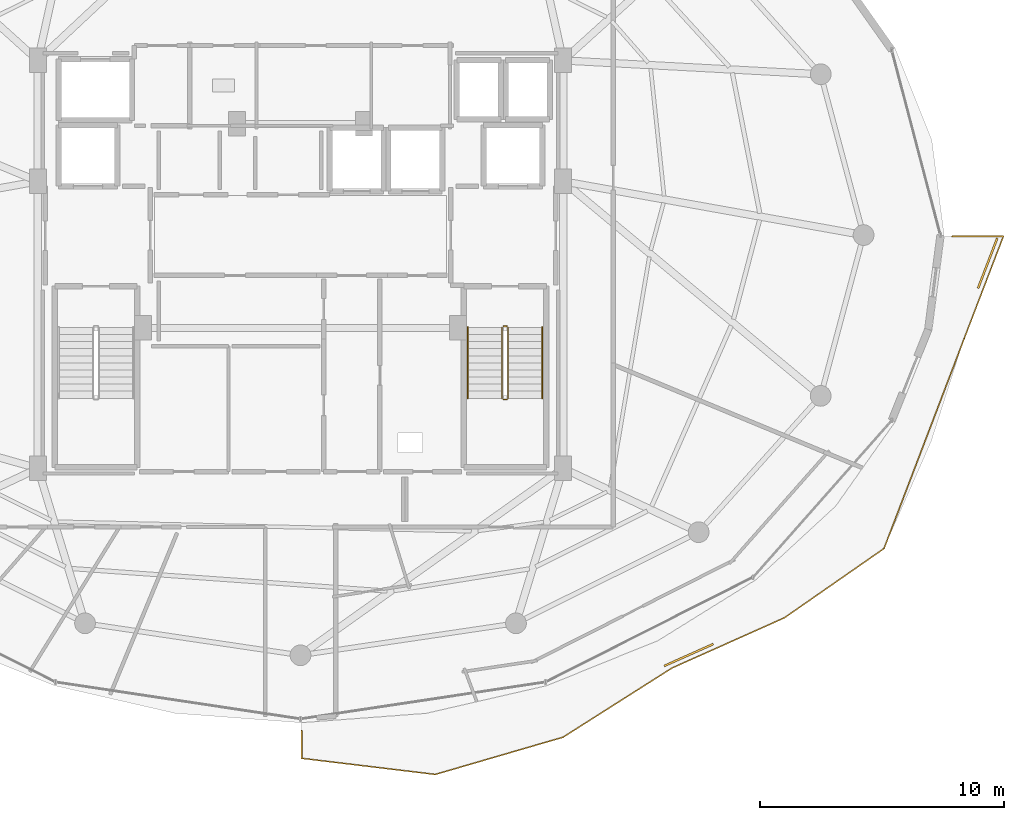
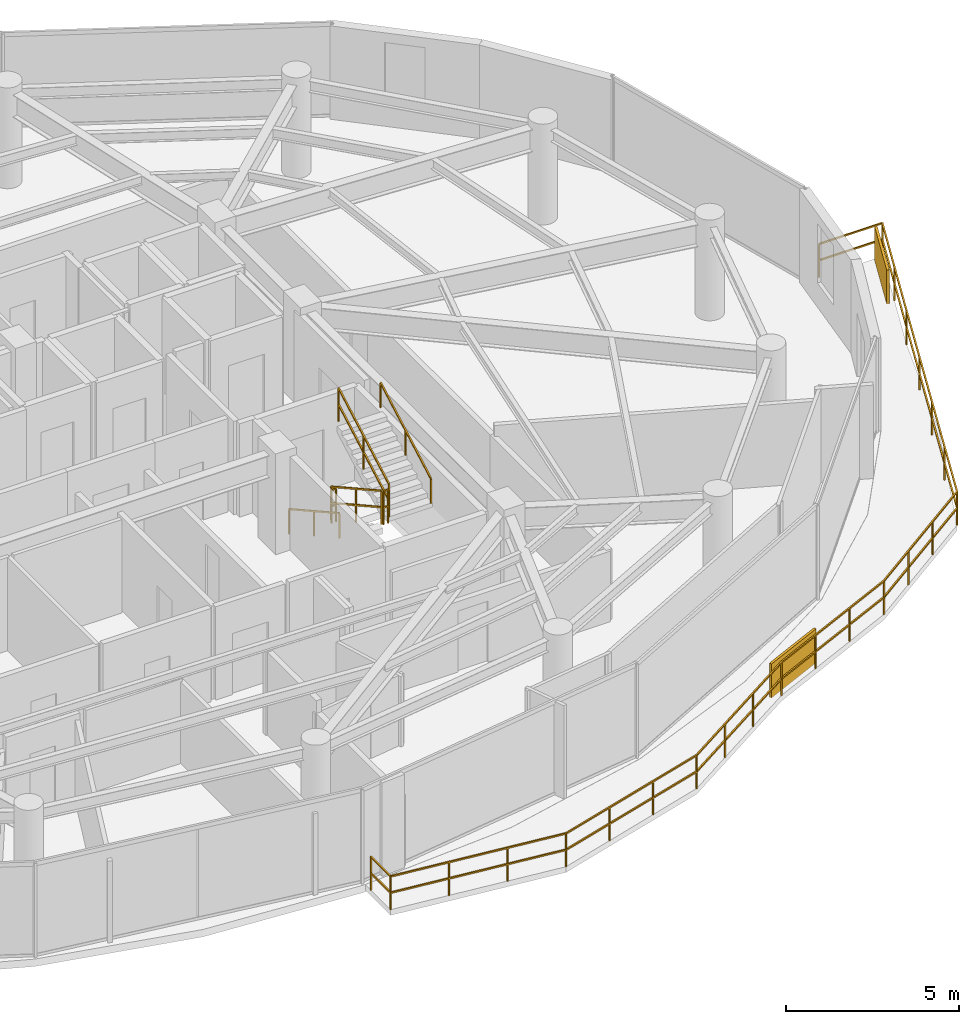
# One storey, part 28 of 30: 8 railings, 2 shading devices.
"""IFC4 building model written with IfcOpenShell, lengths in metres."""

from ifc_helpers import new_model, si_unit, direction, frame, origin, origin_2d, place, context, subcontext, project, spatial, rectangle, extrude, material, type_object, element, save


model = new_model("IFC4")

# Units and contexts
model_context = context("Model", 3, precision=1e-05, world=origin(), true_north=direction((0.0, 1.0)))
body_context = subcontext(model_context, "Body", "Model", "MODEL_VIEW")
ifc_project = project(units=[si_unit("LENGTHUNIT", "METRE"), si_unit("AREAUNIT", "SQUARE_METRE"), si_unit("VOLUMEUNIT", "CUBIC_METRE"), si_unit("PLANEANGLEUNIT", "RADIAN"), si_unit("MASSUNIT", "GRAM", prefix="KILO")], contexts=[model_context])

# Site, building, storey
site_placement = place(None, origin())
site = spatial("IfcSite", under=ifc_project, at=site_placement, CompositionType="ELEMENT")
building_placement = place(site_placement, origin())
building = spatial("IfcBuilding", under=site, at=building_placement, Name="Vorneva Point Tower", CompositionType="ELEMENT")
storey_placement = place(building_placement, frame((0.0, 0.0, 234.25)))
storey = spatial("IfcBuildingStorey", under=building, at=storey_placement, Name="L63", CompositionType="ELEMENT", Elevation=234.25)

# Railings
ifc_material_1 = material(Name="Pale anodised aluminium", Category="aluminium")
railing_type_1 = type_object("IfcRailingType", Name="RL-BAL-1200", PredefinedType="BALUSTRADE", material=ifc_material_1)
railing_1_placement = place(storey_placement, frame((65.166748046875, 21.758544921875, 0.0)))
element("IfcRailing", 1, at=railing_1_placement, inside=storey, type_object=railing_type_1, Name="L63 Wave Balcony Balustrade SE.1", PredefinedType="BALUSTRADE", context=body_context, shape_type="SweptSolid", body=[
    extrude(rectangle(XDim=0.048095703125, YDim=0.048095703125, at=origin_2d()), frame((0.0, 0.0, 1.17578125), z_axis=(0.35840691925, 0.933565466496, 0.0), x_axis=(-0.933565466496, 0.35840691925, 0.0)), (0.0, 0.0, 1.0), 4.48974609375),
    extrude(rectangle(XDim=0.048095703125, YDim=0.048095703125, at=origin_2d()), frame((0.0, 0.0, 0.60009765625), z_axis=(0.35840691925, 0.933565466496, 0.0), x_axis=(-0.933565466496, 0.35840691925, 0.0)), (0.0, 0.0, 1.0), 4.48974609375),
    extrude(rectangle(XDim=0.048095703125, YDim=0.048095703125, at=origin_2d()), frame((1.609130859375, 4.19140625, 1.17578125), z_axis=(-1.0, 0.0, 0.0), x_axis=(0.0, -1.0, 0.0)), (0.0, 0.0, 1.0), 2.109619140625),
    extrude(rectangle(XDim=0.048095703125, YDim=0.048095703125, at=origin_2d()), frame((1.609130859375, 4.19140625, 0.60009765625), z_axis=(-1.0, 0.0, 0.0), x_axis=(0.0, -1.0, 0.0)), (0.0, 0.0, 1.0), 2.109619140625),
    extrude(rectangle(XDim=0.0419921875, YDim=0.0419921875, at=origin_2d()), origin(), (0.0, 0.0, 1.0), 1.15185546875),
    extrude(rectangle(XDim=0.0419921875, YDim=0.0419921875, at=origin_2d()), frame((0.8046875, 2.095703125, 0.0)), (0.0, 0.0, 1.0), 1.15185546875),
    extrude(rectangle(XDim=0.0419921875, YDim=0.0419921875, at=origin_2d()), frame((1.609130859375, 4.19140625, 0.0)), (0.0, 0.0, 1.0), 1.15185546875),
    extrude(rectangle(XDim=0.0419921875, YDim=0.0419921875, at=origin_2d()), frame((-0.50048828125, 4.19140625, 0.0)), (0.0, 0.0, 1.0), 1.15185546875),
])
railing_2_placement = place(storey_placement, frame((38.050048828125, 5.722900390625, 0.0)))
element("IfcRailing", 2, at=railing_2_placement, inside=storey, type_object=railing_type_1, Name="L63 Wave Balcony Balustrade SE.2", PredefinedType="BALUSTRADE", context=body_context, shape_type="SweptSolid", body=[
    extrude(rectangle(XDim=0.048095703125, YDim=0.048095703125, at=origin_2d()), frame((0.0, 0.0, 1.17578125), z_axis=(0.0, -1.0, 0.0), x_axis=(1.0, 0.0, 0.0)), (0.0, 0.0, 1.0), 1.143798828125),
    extrude(rectangle(XDim=0.048095703125, YDim=0.048095703125, at=origin_2d()), frame((0.0, 0.0, 0.60009765625), z_axis=(0.0, -1.0, 0.0), x_axis=(1.0, 0.0, 0.0)), (0.0, 0.0, 1.0), 1.143798828125),
    extrude(rectangle(XDim=0.048095703125, YDim=0.048095703125, at=origin_2d()), frame((0.0, -1.143798828125, 1.17578125), z_axis=(0.992811242742, -0.119690585614, 0.0), x_axis=(0.119690585614, 0.992811242742, 0.0)), (0.0, 0.0, 1.0), 5.50732421875),
    extrude(rectangle(XDim=0.048095703125, YDim=0.048095703125, at=origin_2d()), frame((0.0, -1.143798828125, 0.60009765625), z_axis=(0.992811242742, -0.119690585614, 0.0), x_axis=(0.119690585614, 0.992811242742, 0.0)), (0.0, 0.0, 1.0), 5.50732421875),
    extrude(rectangle(XDim=0.048095703125, YDim=0.048095703125, at=origin_2d()), frame((5.4677734375, -1.802978515625, 1.17578125), z_axis=(0.960109356383, 0.279624791078, 0.0), x_axis=(-0.279624791078, 0.960109356383, 0.0)), (0.0, 0.0, 1.0), 5.447265625),
    extrude(rectangle(XDim=0.048095703125, YDim=0.048095703125, at=origin_2d()), frame((5.4677734375, -1.802978515625, 0.60009765625), z_axis=(0.960109356383, 0.279624791078, 0.0), x_axis=(-0.279624791078, 0.960109356383, 0.0)), (0.0, 0.0, 1.0), 5.447265625),
    extrude(rectangle(XDim=0.048095703125, YDim=0.048095703125, at=origin_2d()), frame((10.69775390625, -0.27978515625, 1.17578125), z_axis=(0.844167028657, 0.53608024374, 0.0), x_axis=(-0.53608024374, 0.844167028657, 0.0)), (0.0, 0.0, 1.0), 5.28564453125),
    extrude(rectangle(XDim=0.048095703125, YDim=0.048095703125, at=origin_2d()), frame((10.69775390625, -0.27978515625, 0.60009765625), z_axis=(0.844167028657, 0.53608024374, 0.0), x_axis=(-0.53608024374, 0.844167028657, 0.0)), (0.0, 0.0, 1.0), 5.28564453125),
    extrude(rectangle(XDim=0.048095703125, YDim=0.048095703125, at=origin_2d()), frame((15.15966796875, 2.5537109375, 1.17578125), z_axis=(0.913022533986, 0.407909122763, 0.0), x_axis=(-0.407909122763, 0.913022533986, 0.0)), (0.0, 0.0, 1.0), 5.038330078125),
    extrude(rectangle(XDim=0.048095703125, YDim=0.048095703125, at=origin_2d()), frame((15.15966796875, 2.5537109375, 0.60009765625), z_axis=(0.913022533986, 0.407909122763, 0.0), x_axis=(-0.407909122763, 0.913022533986, 0.0)), (0.0, 0.0, 1.0), 5.038330078125),
    extrude(rectangle(XDim=0.048095703125, YDim=0.048095703125, at=origin_2d()), frame((19.759765625, 4.60888671875, 1.17578125), z_axis=(0.820997387807, 0.570931947971, 0.0), x_axis=(-0.570931947971, 0.820997387807, 0.0)), (0.0, 0.0, 1.0), 4.965576171875),
    extrude(rectangle(XDim=0.048095703125, YDim=0.048095703125, at=origin_2d()), frame((19.759765625, 4.60888671875, 0.60009765625), z_axis=(0.820997387807, 0.570931947971, 0.0), x_axis=(-0.570931947971, 0.820997387807, 0.0)), (0.0, 0.0, 1.0), 4.965576171875),
    extrude(rectangle(XDim=0.048095703125, YDim=0.048095703125, at=origin_2d()), frame((23.83642578125, 7.44384765625, 1.17578125), z_axis=(0.356679660405, 0.934226749699, 0.0), x_axis=(-0.934226749699, 0.356679660405, 0.0)), (0.0, 0.0, 1.0), 9.19677734375),
    extrude(rectangle(XDim=0.048095703125, YDim=0.048095703125, at=origin_2d()), frame((23.83642578125, 7.44384765625, 0.60009765625), z_axis=(0.356679660405, 0.934226749699, 0.0), x_axis=(-0.934226749699, 0.356679660405, 0.0)), (0.0, 0.0, 1.0), 9.19677734375),
    extrude(rectangle(XDim=0.0419921875, YDim=0.0419921875, at=origin_2d()), origin(), (0.0, 0.0, 1.0), 1.15185546875),
    extrude(rectangle(XDim=0.0419921875, YDim=0.0419921875, at=origin_2d()), frame((0.0, -1.143798828125, 0.0)), (0.0, 0.0, 1.0), 1.15185546875),
    extrude(rectangle(XDim=0.0419921875, YDim=0.0419921875, at=origin_2d()), frame((1.822509765625, -1.363525390625, 0.0)), (0.0, 0.0, 1.0), 1.15185546875),
    extrude(rectangle(XDim=0.0419921875, YDim=0.0419921875, at=origin_2d()), frame((3.645263671875, -1.583251953125, 0.0)), (0.0, 0.0, 1.0), 1.15185546875),
    extrude(rectangle(XDim=0.0419921875, YDim=0.0419921875, at=origin_2d()), frame((5.4677734375, -1.802978515625, 0.0)), (0.0, 0.0, 1.0), 1.15185546875),
    extrude(rectangle(XDim=0.0419921875, YDim=0.0419921875, at=origin_2d()), frame((7.211181640625, -1.295166015625, 0.0)), (0.0, 0.0, 1.0), 1.15185546875),
    extrude(rectangle(XDim=0.0419921875, YDim=0.0419921875, at=origin_2d()), frame((8.954345703125, -0.78759765625, 0.0)), (0.0, 0.0, 1.0), 1.15185546875),
    extrude(rectangle(XDim=0.0419921875, YDim=0.0419921875, at=origin_2d()), frame((10.69775390625, -0.27978515625, 0.0)), (0.0, 0.0, 1.0), 1.15185546875),
    extrude(rectangle(XDim=0.0419921875, YDim=0.0419921875, at=origin_2d()), frame((12.18505859375, 0.664794921875, 0.0)), (0.0, 0.0, 1.0), 1.15185546875),
    extrude(rectangle(XDim=0.0419921875, YDim=0.0419921875, at=origin_2d()), frame((13.67236328125, 1.609130859375, 0.0)), (0.0, 0.0, 1.0), 1.15185546875),
    extrude(rectangle(XDim=0.0419921875, YDim=0.0419921875, at=origin_2d()), frame((15.15966796875, 2.5537109375, 0.0)), (0.0, 0.0, 1.0), 1.15185546875),
    extrude(rectangle(XDim=0.0419921875, YDim=0.0419921875, at=origin_2d()), frame((16.693115234375, 3.23876953125, 0.0)), (0.0, 0.0, 1.0), 1.15185546875),
    extrude(rectangle(XDim=0.0419921875, YDim=0.0419921875, at=origin_2d()), frame((18.226318359375, 3.923828125, 0.0)), (0.0, 0.0, 1.0), 1.15185546875),
    extrude(rectangle(XDim=0.0419921875, YDim=0.0419921875, at=origin_2d()), frame((19.759765625, 4.60888671875, 0.0)), (0.0, 0.0, 1.0), 1.15185546875),
    extrude(rectangle(XDim=0.0419921875, YDim=0.0419921875, at=origin_2d()), frame((21.11865234375, 5.553955078125, 0.0)), (0.0, 0.0, 1.0), 1.15185546875),
    extrude(rectangle(XDim=0.0419921875, YDim=0.0419921875, at=origin_2d()), frame((22.4775390625, 6.498779296875, 0.0)), (0.0, 0.0, 1.0), 1.15185546875),
    extrude(rectangle(XDim=0.0419921875, YDim=0.0419921875, at=origin_2d()), frame((23.83642578125, 7.44384765625, 0.0)), (0.0, 0.0, 1.0), 1.15185546875),
    extrude(rectangle(XDim=0.0419921875, YDim=0.0419921875, at=origin_2d()), frame((24.656494140625, 9.591796875, 0.0)), (0.0, 0.0, 1.0), 1.15185546875),
    extrude(rectangle(XDim=0.0419921875, YDim=0.0419921875, at=origin_2d()), frame((25.4765625, 11.73974609375, 0.0)), (0.0, 0.0, 1.0), 1.15185546875),
    extrude(rectangle(XDim=0.0419921875, YDim=0.0419921875, at=origin_2d()), frame((26.296630859375, 13.8876953125, 0.0)), (0.0, 0.0, 1.0), 1.15185546875),
    extrude(rectangle(XDim=0.0419921875, YDim=0.0419921875, at=origin_2d()), frame((27.11669921875, 16.03564453125, 0.0)), (0.0, 0.0, 1.0), 1.15185546875),
])
ifc_material_2 = material(Name="Brushed stainless steel S304", Category="steel")
railing_type_2 = type_object("IfcRailingType", Name="RL-HND-920", PredefinedType="HANDRAIL", material=ifc_material_2)
railing_3_placement = place(storey_placement, frame((44.85009765625, 22.219970703125, 0.161376953125)))
element("IfcRailing", 3, at=railing_3_placement, inside=storey, type_object=railing_type_2, Name="L63 ST2 stair handrail 1", PredefinedType="HANDRAIL", context=body_context, shape_type="SweptSolid", body=[
    extrude(rectangle(XDim=0.048095703125, YDim=0.048095703125, at=origin_2d()), frame((0.0, 0.0, 0.8759765625), z_axis=(0.0, -0.873841303929, 0.486211245805), x_axis=(1.0, 0.0, 0.0)), (0.0, 0.0, 1.0), 3.318603515625),
    extrude(rectangle(XDim=0.0419921875, YDim=0.0419921875, at=origin_2d()), origin(), (0.0, 0.0, 1.0), 0.851806640625),
    extrude(rectangle(XDim=0.0419921875, YDim=0.0419921875, at=origin_2d()), frame((0.0, -1.449951171875, 0.806640625)), (0.0, 0.0, 1.0), 0.851806640625),
    extrude(rectangle(XDim=0.0419921875, YDim=0.0419921875, at=origin_2d()), frame((0.0, -2.89990234375, 1.613525390625)), (0.0, 0.0, 1.0), 0.851806640625),
])
railing_4_placement = place(storey_placement, frame((47.89990234375, 19.320068359375, 1.936279296875)))
element("IfcRailing", 4, at=railing_4_placement, inside=storey, type_object=railing_type_2, Name="L63 ST2 stair handrail 2", PredefinedType="HANDRAIL", context=body_context, shape_type="SweptSolid", body=[
    extrude(rectangle(XDim=0.048095703125, YDim=0.048095703125, at=origin_2d()), frame((0.0, 0.0, 0.8759765625), z_axis=(0.0, 0.873810046276, 0.486267419253), x_axis=(-1.0, 0.0, 0.0)), (0.0, 0.0, 1.0), 3.318603515625),
    extrude(rectangle(XDim=0.0419921875, YDim=0.0419921875, at=origin_2d()), origin(), (0.0, 0.0, 1.0), 0.851806640625),
    extrude(rectangle(XDim=0.0419921875, YDim=0.0419921875, at=origin_2d()), frame((0.0, 1.449951171875, 0.806884765625)), (0.0, 0.0, 1.0), 0.851806640625),
    extrude(rectangle(XDim=0.0419921875, YDim=0.0419921875, at=origin_2d()), frame((0.0, 2.89990234375, 1.61376953125)), (0.0, 0.0, 1.0), 0.851806640625),
])
railing_type_3 = type_object("IfcRailingType", Name="RL-STG-1100", PredefinedType="GUARDRAIL", material=ifc_material_2)
railing_5_placement = place(storey_placement, frame((46.25, 22.219970703125, 0.161376953125)))
element("IfcRailing", 5, at=railing_5_placement, inside=storey, type_object=railing_type_3, Name="L63 ST2 stair guard 1", PredefinedType="GUARDRAIL", context=body_context, shape_type="SweptSolid", body=[
    extrude(rectangle(XDim=0.048095703125, YDim=0.048095703125, at=origin_2d()), frame((0.0, 0.0, 1.17578125), z_axis=(0.0, -0.873841303929, 0.486211245805), x_axis=(1.0, 0.0, 0.0)), (0.0, 0.0, 1.0), 3.318603515625),
    extrude(rectangle(XDim=0.048095703125, YDim=0.048095703125, at=origin_2d()), frame((0.0, 0.0, 0.60009765625), z_axis=(0.0, -0.873841303929, 0.486211245805), x_axis=(1.0, 0.0, 0.0)), (0.0, 0.0, 1.0), 3.318603515625),
    extrude(rectangle(XDim=0.0419921875, YDim=0.0419921875, at=origin_2d()), origin(), (0.0, 0.0, 1.0), 1.15185546875),
    extrude(rectangle(XDim=0.0419921875, YDim=0.0419921875, at=origin_2d()), frame((0.0, -1.449951171875, 0.806640625)), (0.0, 0.0, 1.0), 1.15185546875),
    extrude(rectangle(XDim=0.0419921875, YDim=0.0419921875, at=origin_2d()), frame((0.0, -2.89990234375, 1.613525390625)), (0.0, 0.0, 1.0), 1.15185546875),
])
railing_6_placement = place(storey_placement, frame((46.300048828125, 19.27001953125, 1.77490234375)))
element("IfcRailing", 6, at=railing_6_placement, inside=storey, type_object=railing_type_3, Name="L63 ST2 stair guard 2", PredefinedType="GUARDRAIL", context=body_context, shape_type="SweptSolid", body=[
    extrude(rectangle(XDim=0.048095703125, YDim=0.048095703125, at=origin_2d()), frame((0.0, 0.0, 1.17578125), z_axis=(1.0, 0.0, 0.0), x_axis=(0.0, 1.0, 0.0)), (0.0, 0.0, 1.0), 0.14990234375),
    extrude(rectangle(XDim=0.048095703125, YDim=0.048095703125, at=origin_2d()), frame((0.0, 0.0, 0.60009765625), z_axis=(1.0, 0.0, 0.0), x_axis=(0.0, 1.0, 0.0)), (0.0, 0.0, 1.0), 0.14990234375),
    extrude(rectangle(XDim=0.0419921875, YDim=0.0419921875, at=origin_2d()), origin(), (0.0, 0.0, 1.0), 1.15185546875),
    extrude(rectangle(XDim=0.0419921875, YDim=0.0419921875, at=origin_2d()), frame((0.14990234375, 0.0, 0.0)), (0.0, 0.0, 1.0), 1.15185546875),
])
railing_7_placement = place(storey_placement, frame((46.5, 19.320068359375, 1.936279296875)))
element("IfcRailing", 7, at=railing_7_placement, inside=storey, type_object=railing_type_3, Name="L63 ST2 stair guard 3", PredefinedType="GUARDRAIL", context=body_context, shape_type="SweptSolid", body=[
    extrude(rectangle(XDim=0.048095703125, YDim=0.048095703125, at=origin_2d()), frame((0.0, 0.0, 1.17578125), z_axis=(0.0, 0.873810046276, 0.486267419253), x_axis=(-1.0, 0.0, 0.0)), (0.0, 0.0, 1.0), 3.318603515625),
    extrude(rectangle(XDim=0.048095703125, YDim=0.048095703125, at=origin_2d()), frame((0.0, 0.0, 0.60009765625), z_axis=(0.0, 0.873810046276, 0.486267419253), x_axis=(-1.0, 0.0, 0.0)), (0.0, 0.0, 1.0), 3.318603515625),
    extrude(rectangle(XDim=0.0419921875, YDim=0.0419921875, at=origin_2d()), origin(), (0.0, 0.0, 1.0), 1.15185546875),
    extrude(rectangle(XDim=0.0419921875, YDim=0.0419921875, at=origin_2d()), frame((0.0, 1.449951171875, 0.806884765625)), (0.0, 0.0, 1.0), 1.15185546875),
    extrude(rectangle(XDim=0.0419921875, YDim=0.0419921875, at=origin_2d()), frame((0.0, 2.89990234375, 1.61376953125)), (0.0, 0.0, 1.0), 1.15185546875),
])
railing_8_placement = place(storey_placement, frame((46.300048828125, 22.27001953125, 0.0)))
element("IfcRailing", 8, at=railing_8_placement, inside=storey, type_object=railing_type_3, Name="L63 ST2 stair guard 4", PredefinedType="GUARDRAIL", context=body_context, shape_type="SweptSolid", body=[
    extrude(rectangle(XDim=0.048095703125, YDim=0.048095703125, at=origin_2d()), frame((0.0, 0.0, 1.17578125), z_axis=(1.0, 0.0, 0.0), x_axis=(0.0, 1.0, 0.0)), (0.0, 0.0, 1.0), 0.14990234375),
    extrude(rectangle(XDim=0.048095703125, YDim=0.048095703125, at=origin_2d()), frame((0.0, 0.0, 0.60009765625), z_axis=(1.0, 0.0, 0.0), x_axis=(0.0, 1.0, 0.0)), (0.0, 0.0, 1.0), 0.14990234375),
    extrude(rectangle(XDim=0.0419921875, YDim=0.0419921875, at=origin_2d()), origin(), (0.0, 0.0, 1.0), 1.15185546875),
    extrude(rectangle(XDim=0.0419921875, YDim=0.0419921875, at=origin_2d()), frame((0.14990234375, 0.0, 0.0)), (0.0, 0.0, 1.0), 1.15185546875),
])

# Shading devices
shading_device_type = type_object("IfcShadingDeviceType", Name="SHD-JAL-1200", PredefinedType="JALOUSIE", material=ifc_material_1)
for number, where, z_axis, x_axis, name in (
    (9, (66.12939453125, 24.847900390625, -0.02001953125), (0.0, 0.0, 1.0), (0.358384243543, 0.933574171654, 0.0), "L63 Balcony Vertical-Greenery Planter Screen SE.1"),
    (10, (53.8955078125, 8.811279296875, -0.02001953125), (0.0, 0.0, 1.0), (0.913012258106, 0.407932122476, 0.0), "L63 Balcony Vertical-Greenery Planter Screen SE.2"),
):
    element("IfcShadingDevice", number, at=place(storey_placement, frame(where, z_axis=z_axis, x_axis=x_axis)), inside=storey, type_object=shading_device_type, Name=name, PredefinedType="JALOUSIE", context=body_context, shape_type="SweptSolid", body=[
        extrude(rectangle(XDim=2.199951171875, YDim=0.080078125, at=origin_2d()), origin(), (0.0, 0.0, 1.0), 1.199951171875),
    ])

save(model, "model.ifc")
